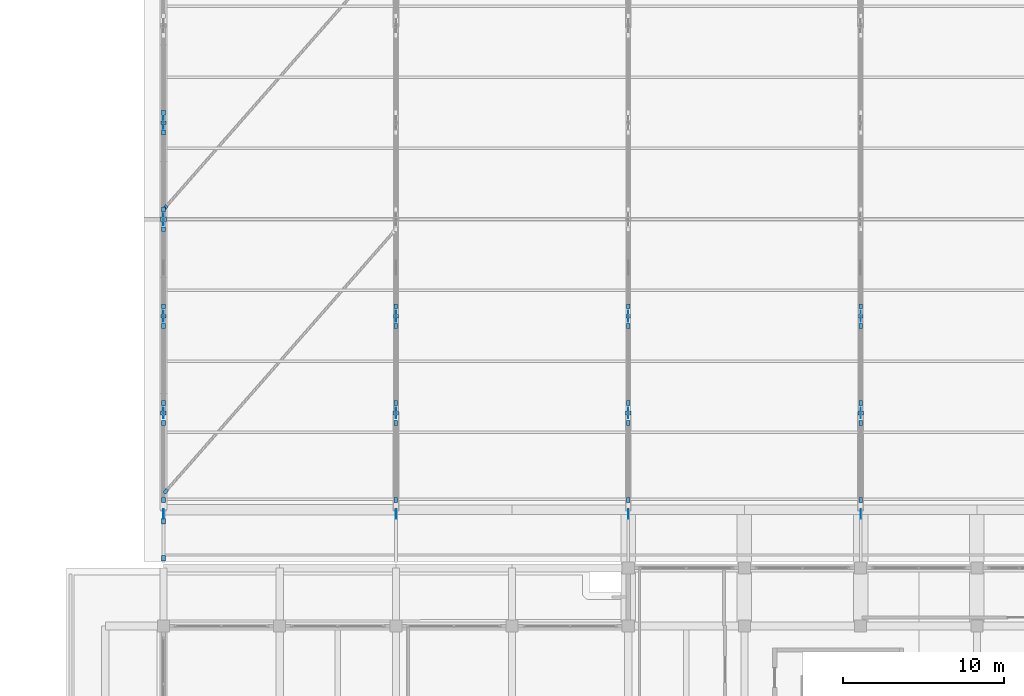
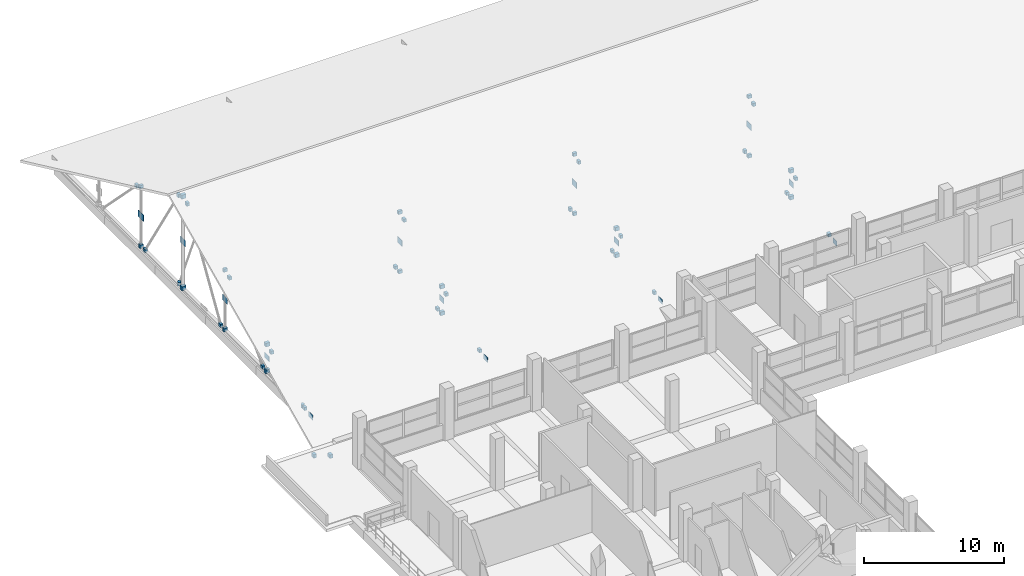
# One storey, part 122 of 141: 62 plates, 4 elements without a shape of their own.
"""IFC4 building model written with IfcOpenShell, lengths in metres."""

from ifc_helpers import new_model, si_unit, direction, frame, origin, origin_2d, place, context, subcontext, project, spatial, rectangle, extrude, material, layer, layer_set, type_object, element, aggregate, save


model = new_model("IFC4")

# Units and contexts
model_context = context("Model", 3, precision=1e-05, world=origin(), true_north=direction((0.0, 1.0)))
body_context = subcontext(model_context, "Body", "Model", "MODEL_VIEW")
ifc_project = project(units=[si_unit("LENGTHUNIT", "METRE"), si_unit("AREAUNIT", "SQUARE_METRE"), si_unit("VOLUMEUNIT", "CUBIC_METRE"), si_unit("PLANEANGLEUNIT", "RADIAN"), si_unit("MASSUNIT", "GRAM", prefix="KILO")], contexts=[model_context])

# Site, building, storey
site_placement = place(None, origin())
site = spatial("IfcSite", under=ifc_project, at=site_placement, CompositionType="ELEMENT")
building_placement = place(site_placement, origin())
building = spatial("IfcBuilding", under=site, at=building_placement, Name="Seraya Terrace Polytechnic", CompositionType="ELEMENT")
storey_placement = place(building_placement, frame((0.0, 0.0, 14.39990234375)))
storey = spatial("IfcBuildingStorey", under=building, at=storey_placement, Name="L03", CompositionType="ELEMENT", Elevation=14.39990234375)

# Assembly, plates
ifc_material = material(Name="Steel S355J2", Category="steel")
element_assembly_type = type_object("IfcElementAssemblyType", Name="TR-A1", PredefinedType="TRUSS", material=ifc_material)
assembly_1_placement = place(storey_placement, origin())
assembly_1 = element("IfcElementAssembly", 1, at=assembly_1_placement, inside=storey, type_object=element_assembly_type, Name="Pitched steel roof truss TR-01", AssemblyPlace="SITE", PredefinedType="TRUSS")
ifc_layer_1 = layer(ifc_material, 0.340087890625, Name="EP-01")
ifc_layer_set_1 = layer_set([ifc_layer_1], Name="Steel S355J2")
plate_type_1 = type_object("IfcPlateType", Name="EP-01", PredefinedType="USERDEFINED", material=ifc_layer_set_1)
plate_1_placement = place(storey_placement, frame((14.39990234375, 97.199951171875, 0.10302734375), z_axis=(0.0, 0.0, 1.0), x_axis=(1.0, 0.0, 0.0)))
plate_1 = element("IfcPlate", 2, at=plate_1_placement, type_object=plate_type_1, Name="Hollow end-cap plate TR-01-V4 start", ObjectType="FLANGE_PLATE", PredefinedType="USERDEFINED", context=body_context, shape_type="SweptSolid", body=[
    extrude(rectangle(XDim=0.360107421875, YDim=0.280029296875, at=origin_2d()), origin(), (0.0, 0.0, 1.0), 0.340087890625),
])
plate_2_placement = place(storey_placement, frame((14.39990234375, 97.199951171875, 8.08154296875), z_axis=(0.0, 0.0, 1.0), x_axis=(1.0, 0.0, 0.0)))
plate_2 = element("IfcPlate", 3, at=plate_2_placement, type_object=plate_type_1, Name="Hollow end-cap plate TR-01-V4 end", ObjectType="FLANGE_PLATE", PredefinedType="USERDEFINED", context=body_context, shape_type="SweptSolid", body=[
    extrude(rectangle(XDim=0.360107421875, YDim=0.280029296875, at=origin_2d()), origin(), (0.0, 0.0, 1.0), 0.340087890625),
])
ifc_layer_2 = layer(ifc_material, 0.320068359375, Name="EP-02")
ifc_layer_set_2 = layer_set([ifc_layer_2], Name="Steel S355J2")
plate_type_2 = type_object("IfcPlateType", Name="EP-02", PredefinedType="USERDEFINED", material=ifc_layer_set_2)
plate_3_placement = place(storey_placement, frame((14.39990234375, 85.199951171875, 0.138671875), z_axis=(0.0, 0.0, 1.0), x_axis=(1.0, 0.0, 0.0)))
plate_3 = element("IfcPlate", 4, at=plate_3_placement, type_object=plate_type_2, Name="Hollow end-cap plate TR-01-V2 start", ObjectType="FLANGE_PLATE", PredefinedType="USERDEFINED", context=body_context, shape_type="SweptSolid", body=[
    extrude(rectangle(XDim=0.340087890625, YDim=0.260009765625, at=origin_2d()), origin(), (0.0, 0.0, 1.0), 0.320068359375),
])
plate_4_placement = place(storey_placement, frame((14.39990234375, 85.199951171875, 2.4658203125), z_axis=(0.0, 0.0, 1.0), x_axis=(1.0, 0.0, 0.0)))
plate_4 = element("IfcPlate", 5, at=plate_4_placement, type_object=plate_type_2, Name="Hollow end-cap plate TR-01-V2 end", ObjectType="FLANGE_PLATE", PredefinedType="USERDEFINED", context=body_context, shape_type="SweptSolid", body=[
    extrude(rectangle(XDim=0.340087890625, YDim=0.260009765625, at=origin_2d()), origin(), (0.0, 0.0, 1.0), 0.320068359375),
])

assembly_2_placement = place(storey_placement, origin())
assembly_2 = element("IfcElementAssembly", 6, at=assembly_2_placement, inside=storey, type_object=element_assembly_type, Name="Pitched steel roof truss TR-02", AssemblyPlace="SITE", PredefinedType="TRUSS")
plate_5_placement = place(storey_placement, frame((28.800048828125, 85.199951171875, 0.138671875), z_axis=(0.0, 0.0, 1.0), x_axis=(1.0, 0.0, 0.0)))
plate_5 = element("IfcPlate", 7, at=plate_5_placement, type_object=plate_type_2, Name="Hollow end-cap plate TR-02-V2 start", ObjectType="FLANGE_PLATE", PredefinedType="USERDEFINED", context=body_context, shape_type="SweptSolid", body=[
    extrude(rectangle(XDim=0.340087890625, YDim=0.260009765625, at=origin_2d()), origin(), (0.0, 0.0, 1.0), 0.320068359375),
])
plate_6_placement = place(storey_placement, frame((28.800048828125, 85.199951171875, 2.4658203125), z_axis=(0.0, 0.0, 1.0), x_axis=(1.0, 0.0, 0.0)))
plate_6 = element("IfcPlate", 8, at=plate_6_placement, type_object=plate_type_2, Name="Hollow end-cap plate TR-02-V2 end", ObjectType="FLANGE_PLATE", PredefinedType="USERDEFINED", context=body_context, shape_type="SweptSolid", body=[
    extrude(rectangle(XDim=0.340087890625, YDim=0.260009765625, at=origin_2d()), origin(), (0.0, 0.0, 1.0), 0.320068359375),
])

assembly_3_placement = place(storey_placement, origin())
assembly_3 = element("IfcElementAssembly", 9, at=assembly_3_placement, inside=storey, type_object=element_assembly_type, Name="Pitched steel roof truss TR-03", AssemblyPlace="SITE", PredefinedType="TRUSS")
plate_7_placement = place(storey_placement, frame((43.199951171875, 85.199951171875, 0.138671875), z_axis=(0.0, 0.0, 1.0), x_axis=(1.0, 0.0, 0.0)))
plate_7 = element("IfcPlate", 10, at=plate_7_placement, type_object=plate_type_2, Name="Hollow end-cap plate TR-03-V2 start", ObjectType="FLANGE_PLATE", PredefinedType="USERDEFINED", context=body_context, shape_type="SweptSolid", body=[
    extrude(rectangle(XDim=0.340087890625, YDim=0.260009765625, at=origin_2d()), origin(), (0.0, 0.0, 1.0), 0.320068359375),
])
plate_8_placement = place(storey_placement, frame((43.199951171875, 85.199951171875, 2.4658203125), z_axis=(0.0, 0.0, 1.0), x_axis=(1.0, 0.0, 0.0)))
plate_8 = element("IfcPlate", 11, at=plate_8_placement, type_object=plate_type_2, Name="Hollow end-cap plate TR-03-V2 end", ObjectType="FLANGE_PLATE", PredefinedType="USERDEFINED", context=body_context, shape_type="SweptSolid", body=[
    extrude(rectangle(XDim=0.340087890625, YDim=0.260009765625, at=origin_2d()), origin(), (0.0, 0.0, 1.0), 0.320068359375),
])

assembly_4_placement = place(storey_placement, origin())
assembly_4 = element("IfcElementAssembly", 12, at=assembly_4_placement, inside=storey, type_object=element_assembly_type, Name="Pitched steel roof truss TR-04", AssemblyPlace="SITE", PredefinedType="TRUSS")
plate_9_placement = place(storey_placement, frame((57.60009765625, 85.199951171875, 0.138671875), z_axis=(0.0, 0.0, 1.0), x_axis=(1.0, 0.0, 0.0)))
plate_9 = element("IfcPlate", 13, at=plate_9_placement, type_object=plate_type_2, Name="Hollow end-cap plate TR-04-V2 start", ObjectType="FLANGE_PLATE", PredefinedType="USERDEFINED", context=body_context, shape_type="SweptSolid", body=[
    extrude(rectangle(XDim=0.340087890625, YDim=0.260009765625, at=origin_2d()), origin(), (0.0, 0.0, 1.0), 0.320068359375),
])
plate_10_placement = place(storey_placement, frame((57.60009765625, 85.199951171875, 2.4658203125), z_axis=(0.0, 0.0, 1.0), x_axis=(1.0, 0.0, 0.0)))
plate_10 = element("IfcPlate", 14, at=plate_10_placement, type_object=plate_type_2, Name="Hollow end-cap plate TR-04-V2 end", ObjectType="FLANGE_PLATE", PredefinedType="USERDEFINED", context=body_context, shape_type="SweptSolid", body=[
    extrude(rectangle(XDim=0.340087890625, YDim=0.260009765625, at=origin_2d()), origin(), (0.0, 0.0, 1.0), 0.320068359375),
])

# Plate
ifc_layer_3 = layer(ifc_material, 0.280029296875, Name="EP-03")
ifc_layer_set_3 = layer_set([ifc_layer_3], Name="Steel S355J2")
plate_type_3 = type_object("IfcPlateType", Name="EP-03", PredefinedType="USERDEFINED", material=ifc_layer_set_3)
plate_11_placement = place(storey_placement, frame((14.39990234375, 91.199951171875, 0.13330078125), z_axis=(0.0, 0.0, 1.0), x_axis=(1.0, 0.0, 0.0)))
plate_11 = element("IfcPlate", 15, at=plate_11_placement, type_object=plate_type_3, Name="Hollow end-cap plate TR-01-V3 start", ObjectType="FLANGE_PLATE", PredefinedType="USERDEFINED", context=body_context, shape_type="SweptSolid", body=[
    extrude(rectangle(XDim=0.300048828125, YDim=0.219970703125, at=origin_2d()), origin(), (0.0, 0.0, 1.0), 0.280029296875),
])

plate_12_placement = place(storey_placement, frame((14.39990234375, 91.199951171875, 5.3115234375), z_axis=(0.0, 0.0, 1.0), x_axis=(1.0, 0.0, 0.0)))
plate_12 = element("IfcPlate", 16, at=plate_12_placement, type_object=plate_type_3, Name="Hollow end-cap plate TR-01-V3 end", ObjectType="FLANGE_PLATE", PredefinedType="USERDEFINED", context=body_context, shape_type="SweptSolid", body=[
    extrude(rectangle(XDim=0.300048828125, YDim=0.219970703125, at=origin_2d()), origin(), (0.0, 0.0, 1.0), 0.280029296875),
])

plate_13_placement = place(storey_placement, frame((14.39990234375, 103.199951171875, 0.13330078125), z_axis=(0.0, 0.0, 1.0), x_axis=(1.0, 0.0, 0.0)))
plate_13 = element("IfcPlate", 17, at=plate_13_placement, type_object=plate_type_3, Name="Hollow end-cap plate TR-01-V5 start", ObjectType="FLANGE_PLATE", PredefinedType="USERDEFINED", context=body_context, shape_type="SweptSolid", body=[
    extrude(rectangle(XDim=0.300048828125, YDim=0.219970703125, at=origin_2d()), origin(), (0.0, 0.0, 1.0), 0.280029296875),
])

plate_14_placement = place(storey_placement, frame((14.39990234375, 103.199951171875, 5.3115234375), z_axis=(0.0, 0.0, 1.0), x_axis=(1.0, 0.0, 0.0)))
plate_14 = element("IfcPlate", 18, at=plate_14_placement, type_object=plate_type_3, Name="Hollow end-cap plate TR-01-V5 end", ObjectType="FLANGE_PLATE", PredefinedType="USERDEFINED", context=body_context, shape_type="SweptSolid", body=[
    extrude(rectangle(XDim=0.300048828125, YDim=0.219970703125, at=origin_2d()), origin(), (0.0, 0.0, 1.0), 0.280029296875),
])

plate_15_placement = place(storey_placement, frame((14.39990234375, 79.8125, 0.17333984375), z_axis=(0.0, 0.0, 1.0), x_axis=(0.0, 1.0, 0.0)))
plate_15 = element("IfcPlate", 19, at=plate_15_placement, type_object=plate_type_3, Name="Hollow end-cap plate TR-01-D1 start", ObjectType="FLANGE_PLATE", PredefinedType="USERDEFINED", context=body_context, shape_type="SweptSolid", body=[
    extrude(rectangle(XDim=0.300048828125, YDim=0.219970703125, at=origin_2d()), origin(), (0.0, 0.0, 1.0), 0.280029296875),
])

plate_16_placement = place(storey_placement, frame((14.39990234375, 84.58740234375, 2.181640625), z_axis=(0.0, 0.0, 1.0), x_axis=(0.0, 1.0, 0.0)))
plate_16 = element("IfcPlate", 20, at=plate_16_placement, type_object=plate_type_3, Name="Hollow end-cap plate TR-01-D1 end", ObjectType="FLANGE_PLATE", PredefinedType="USERDEFINED", context=body_context, shape_type="SweptSolid", body=[
    extrude(rectangle(XDim=0.300048828125, YDim=0.219970703125, at=origin_2d()), origin(), (0.0, 0.0, 1.0), 0.280029296875),
])

plate_17_placement = place(storey_placement, frame((14.39990234375, 85.814453125, 0.1455078125), z_axis=(0.0, 0.0, 1.0), x_axis=(0.0, 1.0, 0.0)))
plate_17 = element("IfcPlate", 21, at=plate_17_placement, type_object=plate_type_3, Name="Hollow end-cap plate TR-01-D2 start", ObjectType="FLANGE_PLATE", PredefinedType="USERDEFINED", context=body_context, shape_type="SweptSolid", body=[
    extrude(rectangle(XDim=0.300048828125, YDim=0.219970703125, at=origin_2d()), origin(), (0.0, 0.0, 1.0), 0.280029296875),
])

plate_18_placement = place(storey_placement, frame((14.39990234375, 90.585693359375, 5.009765625), z_axis=(0.0, 0.0, 1.0), x_axis=(0.0, 1.0, 0.0)))
plate_18 = element("IfcPlate", 22, at=plate_18_placement, type_object=plate_type_3, Name="Hollow end-cap plate TR-01-D2 end", ObjectType="FLANGE_PLATE", PredefinedType="USERDEFINED", context=body_context, shape_type="SweptSolid", body=[
    extrude(rectangle(XDim=0.300048828125, YDim=0.219970703125, at=origin_2d()), origin(), (0.0, 0.0, 1.0), 0.280029296875),
])

plate_19_placement = place(storey_placement, frame((14.39990234375, 91.81591796875, 0.14404296875), z_axis=(0.0, 0.0, 1.0), x_axis=(0.0, 1.0, 0.0)))
plate_19 = element("IfcPlate", 23, at=plate_19_placement, type_object=plate_type_3, Name="Hollow end-cap plate TR-01-D3 start", ObjectType="FLANGE_PLATE", PredefinedType="USERDEFINED", context=body_context, shape_type="SweptSolid", body=[
    extrude(rectangle(XDim=0.300048828125, YDim=0.219970703125, at=origin_2d()), origin(), (0.0, 0.0, 1.0), 0.280029296875),
])

plate_20_placement = place(storey_placement, frame((14.39990234375, 96.584228515625, 7.81103515625), z_axis=(0.0, 0.0, 1.0), x_axis=(0.0, 1.0, 0.0)))
plate_20 = element("IfcPlate", 24, at=plate_20_placement, type_object=plate_type_3, Name="Hollow end-cap plate TR-01-D3 end", ObjectType="FLANGE_PLATE", PredefinedType="USERDEFINED", context=body_context, shape_type="SweptSolid", body=[
    extrude(rectangle(XDim=0.300048828125, YDim=0.219970703125, at=origin_2d()), origin(), (0.0, 0.0, 1.0), 0.280029296875),
])

plate_21_placement = place(storey_placement, frame((14.39990234375, 97.81591796875, 7.81103515625), z_axis=(0.0, 0.0, 1.0), x_axis=(0.0, 1.0, 0.0)))
plate_21 = element("IfcPlate", 25, at=plate_21_placement, type_object=plate_type_3, Name="Hollow end-cap plate TR-01-D4 start", ObjectType="FLANGE_PLATE", PredefinedType="USERDEFINED", context=body_context, shape_type="SweptSolid", body=[
    extrude(rectangle(XDim=0.300048828125, YDim=0.219970703125, at=origin_2d()), origin(), (0.0, 0.0, 1.0), 0.280029296875),
])

plate_22_placement = place(storey_placement, frame((14.39990234375, 102.584228515625, 0.14404296875), z_axis=(0.0, 0.0, 1.0), x_axis=(0.0, 1.0, 0.0)))
plate_22 = element("IfcPlate", 26, at=plate_22_placement, type_object=plate_type_3, Name="Hollow end-cap plate TR-01-D4 end", ObjectType="FLANGE_PLATE", PredefinedType="USERDEFINED", context=body_context, shape_type="SweptSolid", body=[
    extrude(rectangle(XDim=0.300048828125, YDim=0.219970703125, at=origin_2d()), origin(), (0.0, 0.0, 1.0), 0.280029296875),
])

plate_23_placement = place(storey_placement, frame((14.39990234375, 103.814453125, 5.009765625), z_axis=(0.0, 0.0, 1.0), x_axis=(0.0, 1.0, 0.0)))
plate_23 = element("IfcPlate", 27, at=plate_23_placement, type_object=plate_type_3, Name="Hollow end-cap plate TR-01-D5 start", ObjectType="FLANGE_PLATE", PredefinedType="USERDEFINED", context=body_context, shape_type="SweptSolid", body=[
    extrude(rectangle(XDim=0.300048828125, YDim=0.219970703125, at=origin_2d()), origin(), (0.0, 0.0, 1.0), 0.280029296875),
])

plate_24_placement = place(storey_placement, frame((28.800048828125, 91.199951171875, 0.13330078125), z_axis=(0.0, 0.0, 1.0), x_axis=(1.0, 0.0, 0.0)))
plate_24 = element("IfcPlate", 28, at=plate_24_placement, type_object=plate_type_3, Name="Hollow end-cap plate TR-02-V3 start", ObjectType="FLANGE_PLATE", PredefinedType="USERDEFINED", context=body_context, shape_type="SweptSolid", body=[
    extrude(rectangle(XDim=0.300048828125, YDim=0.219970703125, at=origin_2d()), origin(), (0.0, 0.0, 1.0), 0.280029296875),
])

plate_25_placement = place(storey_placement, frame((28.800048828125, 91.199951171875, 5.3115234375), z_axis=(0.0, 0.0, 1.0), x_axis=(1.0, 0.0, 0.0)))
plate_25 = element("IfcPlate", 29, at=plate_25_placement, type_object=plate_type_3, Name="Hollow end-cap plate TR-02-V3 end", ObjectType="FLANGE_PLATE", PredefinedType="USERDEFINED", context=body_context, shape_type="SweptSolid", body=[
    extrude(rectangle(XDim=0.300048828125, YDim=0.219970703125, at=origin_2d()), origin(), (0.0, 0.0, 1.0), 0.280029296875),
])

plate_26_placement = place(storey_placement, frame((28.800048828125, 79.8125, 0.17333984375), z_axis=(0.0, 0.0, 1.0), x_axis=(0.0, 1.0, 0.0)))
plate_26 = element("IfcPlate", 30, at=plate_26_placement, type_object=plate_type_3, Name="Hollow end-cap plate TR-02-D1 start", ObjectType="FLANGE_PLATE", PredefinedType="USERDEFINED", context=body_context, shape_type="SweptSolid", body=[
    extrude(rectangle(XDim=0.300048828125, YDim=0.219970703125, at=origin_2d()), origin(), (0.0, 0.0, 1.0), 0.280029296875),
])

plate_27_placement = place(storey_placement, frame((28.800048828125, 84.58740234375, 2.181640625), z_axis=(0.0, 0.0, 1.0), x_axis=(0.0, 1.0, 0.0)))
plate_27 = element("IfcPlate", 31, at=plate_27_placement, type_object=plate_type_3, Name="Hollow end-cap plate TR-02-D1 end", ObjectType="FLANGE_PLATE", PredefinedType="USERDEFINED", context=body_context, shape_type="SweptSolid", body=[
    extrude(rectangle(XDim=0.300048828125, YDim=0.219970703125, at=origin_2d()), origin(), (0.0, 0.0, 1.0), 0.280029296875),
])

plate_28_placement = place(storey_placement, frame((28.800048828125, 85.814453125, 0.1455078125), z_axis=(0.0, 0.0, 1.0), x_axis=(0.0, 1.0, 0.0)))
plate_28 = element("IfcPlate", 32, at=plate_28_placement, type_object=plate_type_3, Name="Hollow end-cap plate TR-02-D2 start", ObjectType="FLANGE_PLATE", PredefinedType="USERDEFINED", context=body_context, shape_type="SweptSolid", body=[
    extrude(rectangle(XDim=0.300048828125, YDim=0.219970703125, at=origin_2d()), origin(), (0.0, 0.0, 1.0), 0.280029296875),
])

plate_29_placement = place(storey_placement, frame((28.800048828125, 90.585693359375, 5.009765625), z_axis=(0.0, 0.0, 1.0), x_axis=(0.0, 1.0, 0.0)))
plate_29 = element("IfcPlate", 33, at=plate_29_placement, type_object=plate_type_3, Name="Hollow end-cap plate TR-02-D2 end", ObjectType="FLANGE_PLATE", PredefinedType="USERDEFINED", context=body_context, shape_type="SweptSolid", body=[
    extrude(rectangle(XDim=0.300048828125, YDim=0.219970703125, at=origin_2d()), origin(), (0.0, 0.0, 1.0), 0.280029296875),
])

plate_30_placement = place(storey_placement, frame((28.800048828125, 91.81591796875, 0.14404296875), z_axis=(0.0, 0.0, 1.0), x_axis=(0.0, 1.0, 0.0)))
plate_30 = element("IfcPlate", 34, at=plate_30_placement, type_object=plate_type_3, Name="Hollow end-cap plate TR-02-D3 start", ObjectType="FLANGE_PLATE", PredefinedType="USERDEFINED", context=body_context, shape_type="SweptSolid", body=[
    extrude(rectangle(XDim=0.300048828125, YDim=0.219970703125, at=origin_2d()), origin(), (0.0, 0.0, 1.0), 0.280029296875),
])

plate_31_placement = place(storey_placement, frame((43.199951171875, 91.199951171875, 0.13330078125), z_axis=(0.0, 0.0, 1.0), x_axis=(1.0, 0.0, 0.0)))
plate_31 = element("IfcPlate", 35, at=plate_31_placement, type_object=plate_type_3, Name="Hollow end-cap plate TR-03-V3 start", ObjectType="FLANGE_PLATE", PredefinedType="USERDEFINED", context=body_context, shape_type="SweptSolid", body=[
    extrude(rectangle(XDim=0.300048828125, YDim=0.219970703125, at=origin_2d()), origin(), (0.0, 0.0, 1.0), 0.280029296875),
])

plate_32_placement = place(storey_placement, frame((43.199951171875, 91.199951171875, 5.3115234375), z_axis=(0.0, 0.0, 1.0), x_axis=(1.0, 0.0, 0.0)))
plate_32 = element("IfcPlate", 36, at=plate_32_placement, type_object=plate_type_3, Name="Hollow end-cap plate TR-03-V3 end", ObjectType="FLANGE_PLATE", PredefinedType="USERDEFINED", context=body_context, shape_type="SweptSolid", body=[
    extrude(rectangle(XDim=0.300048828125, YDim=0.219970703125, at=origin_2d()), origin(), (0.0, 0.0, 1.0), 0.280029296875),
])

plate_33_placement = place(storey_placement, frame((43.199951171875, 79.8125, 0.17333984375), z_axis=(0.0, 0.0, 1.0), x_axis=(0.0, 1.0, 0.0)))
plate_33 = element("IfcPlate", 37, at=plate_33_placement, type_object=plate_type_3, Name="Hollow end-cap plate TR-03-D1 start", ObjectType="FLANGE_PLATE", PredefinedType="USERDEFINED", context=body_context, shape_type="SweptSolid", body=[
    extrude(rectangle(XDim=0.300048828125, YDim=0.219970703125, at=origin_2d()), origin(), (0.0, 0.0, 1.0), 0.280029296875),
])

plate_34_placement = place(storey_placement, frame((43.199951171875, 84.58740234375, 2.181640625), z_axis=(0.0, 0.0, 1.0), x_axis=(0.0, 1.0, 0.0)))
plate_34 = element("IfcPlate", 38, at=plate_34_placement, type_object=plate_type_3, Name="Hollow end-cap plate TR-03-D1 end", ObjectType="FLANGE_PLATE", PredefinedType="USERDEFINED", context=body_context, shape_type="SweptSolid", body=[
    extrude(rectangle(XDim=0.300048828125, YDim=0.219970703125, at=origin_2d()), origin(), (0.0, 0.0, 1.0), 0.280029296875),
])

plate_35_placement = place(storey_placement, frame((43.199951171875, 85.814453125, 0.1455078125), z_axis=(0.0, 0.0, 1.0), x_axis=(0.0, 1.0, 0.0)))
plate_35 = element("IfcPlate", 39, at=plate_35_placement, type_object=plate_type_3, Name="Hollow end-cap plate TR-03-D2 start", ObjectType="FLANGE_PLATE", PredefinedType="USERDEFINED", context=body_context, shape_type="SweptSolid", body=[
    extrude(rectangle(XDim=0.300048828125, YDim=0.219970703125, at=origin_2d()), origin(), (0.0, 0.0, 1.0), 0.280029296875),
])

plate_36_placement = place(storey_placement, frame((43.199951171875, 90.585693359375, 5.009765625), z_axis=(0.0, 0.0, 1.0), x_axis=(0.0, 1.0, 0.0)))
plate_36 = element("IfcPlate", 40, at=plate_36_placement, type_object=plate_type_3, Name="Hollow end-cap plate TR-03-D2 end", ObjectType="FLANGE_PLATE", PredefinedType="USERDEFINED", context=body_context, shape_type="SweptSolid", body=[
    extrude(rectangle(XDim=0.300048828125, YDim=0.219970703125, at=origin_2d()), origin(), (0.0, 0.0, 1.0), 0.280029296875),
])

plate_37_placement = place(storey_placement, frame((43.199951171875, 91.81591796875, 0.14404296875), z_axis=(0.0, 0.0, 1.0), x_axis=(0.0, 1.0, 0.0)))
plate_37 = element("IfcPlate", 41, at=plate_37_placement, type_object=plate_type_3, Name="Hollow end-cap plate TR-03-D3 start", ObjectType="FLANGE_PLATE", PredefinedType="USERDEFINED", context=body_context, shape_type="SweptSolid", body=[
    extrude(rectangle(XDim=0.300048828125, YDim=0.219970703125, at=origin_2d()), origin(), (0.0, 0.0, 1.0), 0.280029296875),
])

plate_38_placement = place(storey_placement, frame((57.60009765625, 91.199951171875, 0.13330078125), z_axis=(0.0, 0.0, 1.0), x_axis=(1.0, 0.0, 0.0)))
plate_38 = element("IfcPlate", 42, at=plate_38_placement, type_object=plate_type_3, Name="Hollow end-cap plate TR-04-V3 start", ObjectType="FLANGE_PLATE", PredefinedType="USERDEFINED", context=body_context, shape_type="SweptSolid", body=[
    extrude(rectangle(XDim=0.300048828125, YDim=0.219970703125, at=origin_2d()), origin(), (0.0, 0.0, 1.0), 0.280029296875),
])

plate_39_placement = place(storey_placement, frame((57.60009765625, 91.199951171875, 5.3115234375), z_axis=(0.0, 0.0, 1.0), x_axis=(1.0, 0.0, 0.0)))
plate_39 = element("IfcPlate", 43, at=plate_39_placement, type_object=plate_type_3, Name="Hollow end-cap plate TR-04-V3 end", ObjectType="FLANGE_PLATE", PredefinedType="USERDEFINED", context=body_context, shape_type="SweptSolid", body=[
    extrude(rectangle(XDim=0.300048828125, YDim=0.219970703125, at=origin_2d()), origin(), (0.0, 0.0, 1.0), 0.280029296875),
])

plate_40_placement = place(storey_placement, frame((57.60009765625, 79.8125, 0.17333984375), z_axis=(0.0, 0.0, 1.0), x_axis=(0.0, 1.0, 0.0)))
plate_40 = element("IfcPlate", 44, at=plate_40_placement, type_object=plate_type_3, Name="Hollow end-cap plate TR-04-D1 start", ObjectType="FLANGE_PLATE", PredefinedType="USERDEFINED", context=body_context, shape_type="SweptSolid", body=[
    extrude(rectangle(XDim=0.300048828125, YDim=0.219970703125, at=origin_2d()), origin(), (0.0, 0.0, 1.0), 0.280029296875),
])

plate_41_placement = place(storey_placement, frame((57.60009765625, 84.58740234375, 2.181640625), z_axis=(0.0, 0.0, 1.0), x_axis=(0.0, 1.0, 0.0)))
plate_41 = element("IfcPlate", 45, at=plate_41_placement, type_object=plate_type_3, Name="Hollow end-cap plate TR-04-D1 end", ObjectType="FLANGE_PLATE", PredefinedType="USERDEFINED", context=body_context, shape_type="SweptSolid", body=[
    extrude(rectangle(XDim=0.300048828125, YDim=0.219970703125, at=origin_2d()), origin(), (0.0, 0.0, 1.0), 0.280029296875),
])

plate_42_placement = place(storey_placement, frame((57.60009765625, 85.814453125, 0.1455078125), z_axis=(0.0, 0.0, 1.0), x_axis=(0.0, 1.0, 0.0)))
plate_42 = element("IfcPlate", 46, at=plate_42_placement, type_object=plate_type_3, Name="Hollow end-cap plate TR-04-D2 start", ObjectType="FLANGE_PLATE", PredefinedType="USERDEFINED", context=body_context, shape_type="SweptSolid", body=[
    extrude(rectangle(XDim=0.300048828125, YDim=0.219970703125, at=origin_2d()), origin(), (0.0, 0.0, 1.0), 0.280029296875),
])

plate_43_placement = place(storey_placement, frame((57.60009765625, 90.585693359375, 5.009765625), z_axis=(0.0, 0.0, 1.0), x_axis=(0.0, 1.0, 0.0)))
plate_43 = element("IfcPlate", 47, at=plate_43_placement, type_object=plate_type_3, Name="Hollow end-cap plate TR-04-D2 end", ObjectType="FLANGE_PLATE", PredefinedType="USERDEFINED", context=body_context, shape_type="SweptSolid", body=[
    extrude(rectangle(XDim=0.300048828125, YDim=0.219970703125, at=origin_2d()), origin(), (0.0, 0.0, 1.0), 0.280029296875),
])

plate_44_placement = place(storey_placement, frame((57.60009765625, 91.81591796875, 0.14404296875), z_axis=(0.0, 0.0, 1.0), x_axis=(0.0, 1.0, 0.0)))
plate_44 = element("IfcPlate", 48, at=plate_44_placement, type_object=plate_type_3, Name="Hollow end-cap plate TR-04-D3 start", ObjectType="FLANGE_PLATE", PredefinedType="USERDEFINED", context=body_context, shape_type="SweptSolid", body=[
    extrude(rectangle(XDim=0.300048828125, YDim=0.219970703125, at=origin_2d()), origin(), (0.0, 0.0, 1.0), 0.280029296875),
])

# Plates
for number, where, z_axis, x_axis, name in (
    (49, (14.53662109375, 80.343994140625, 0.01025390625), (0.0, 0.0, 1.0), (0.659870537582, 0.751379314082, 0.0), "Hollow end-cap plate RBR-B1-S1 start"),
    (50, (14.5126953125, 97.944091796875, 0.01025390625), (0.0, 0.0, 1.0), (0.659870537582, 0.751379314082, 0.0), "Hollow end-cap plate RBR-B1-N1 start"),
):
    element("IfcPlate", number, at=place(storey_placement, frame(where, z_axis=z_axis, x_axis=x_axis)), inside=storey, type_object=plate_type_3, Name=name, ObjectType="FLANGE_PLATE", PredefinedType="USERDEFINED", context=body_context, shape_type="SweptSolid", body=[
        extrude(rectangle(XDim=0.300048828125, YDim=0.219970703125, at=origin_2d()), origin(), (0.0, 0.0, 1.0), 0.280029296875),
    ])
ifc_layer_4 = layer(ifc_material, 0.300048828125, Name="EP-04")
ifc_layer_set_4 = layer_set([ifc_layer_4], Name="Steel S355J2")
plate_type_4 = type_object("IfcPlateType", Name="EP-04", PredefinedType="USERDEFINED", material=ifc_layer_set_4)
for number, where, z_axis, x_axis, name in (
    (51, (14.39990234375, 78.491943359375, -3.15380859375), (0.0, 0.0, 1.0), (0.0, 1.0, 0.0), "Hollow end-cap plate EAVE-KBR-01-S start"),
    (52, (14.39990234375, 76.193115234375, -1.7783203125), (0.0, 0.0, 1.0), (0.0, 1.0, 0.0), "Hollow end-cap plate EAVE-KBR-01-S end"),
):
    element("IfcPlate", number, at=place(storey_placement, frame(where, z_axis=z_axis, x_axis=x_axis)), inside=storey, type_object=plate_type_4, Name=name, ObjectType="FLANGE_PLATE", PredefinedType="USERDEFINED", context=body_context, shape_type="SweptSolid", body=[
        extrude(rectangle(XDim=0.340087890625, YDim=0.239990234375, at=origin_2d()), origin(), (0.0, 0.0, 1.0), 0.300048828125),
    ])

# Plate
ifc_layer_5 = layer(ifc_material, 0.01806640625, Name="TN-01")
ifc_layer_set_5 = layer_set([ifc_layer_5], Name="Steel S355J2")
plate_type_5 = type_object("IfcPlateType", Name="TN-01", PredefinedType="USERDEFINED", material=ifc_layer_set_5)
plate_45_placement = place(storey_placement, frame((14.39990234375, 78.949951171875, -0.07470703125), z_axis=(0.0, 0.0, 1.0), x_axis=(0.0, 1.0, 0.0)))
plate_45 = element("IfcPlate", 53, at=plate_45_placement, type_object=plate_type_5, Name="TR-01 bolted node gusset plate TN-01", ObjectType="GUSSET_PLATE", PredefinedType="USERDEFINED", context=body_context, shape_type="SweptSolid", body=[
    extrude(rectangle(XDim=0.60009765625, YDim=0.01806640625, at=origin_2d()), origin(), (0.0, 0.0, 1.0), 0.449951171875),
])

plate_46_placement = place(storey_placement, frame((28.800048828125, 78.949951171875, -0.07470703125), z_axis=(0.0, 0.0, 1.0), x_axis=(0.0, 1.0, 0.0)))
plate_46 = element("IfcPlate", 54, at=plate_46_placement, type_object=plate_type_5, Name="TR-02 bolted node gusset plate TN-01", ObjectType="GUSSET_PLATE", PredefinedType="USERDEFINED", context=body_context, shape_type="SweptSolid", body=[
    extrude(rectangle(XDim=0.60009765625, YDim=0.01806640625, at=origin_2d()), origin(), (0.0, 0.0, 1.0), 0.449951171875),
])

plate_47_placement = place(storey_placement, frame((43.199951171875, 78.949951171875, -0.07470703125), z_axis=(0.0, 0.0, 1.0), x_axis=(0.0, 1.0, 0.0)))
plate_47 = element("IfcPlate", 55, at=plate_47_placement, type_object=plate_type_5, Name="TR-03 bolted node gusset plate TN-01", ObjectType="GUSSET_PLATE", PredefinedType="USERDEFINED", context=body_context, shape_type="SweptSolid", body=[
    extrude(rectangle(XDim=0.60009765625, YDim=0.01806640625, at=origin_2d()), origin(), (0.0, 0.0, 1.0), 0.449951171875),
])

plate_48_placement = place(storey_placement, frame((57.60009765625, 78.949951171875, -0.07470703125), z_axis=(0.0, 0.0, 1.0), x_axis=(0.0, 1.0, 0.0)))
plate_48 = element("IfcPlate", 56, at=plate_48_placement, type_object=plate_type_5, Name="TR-04 bolted node gusset plate TN-01", ObjectType="GUSSET_PLATE", PredefinedType="USERDEFINED", context=body_context, shape_type="SweptSolid", body=[
    extrude(rectangle(XDim=0.60009765625, YDim=0.01806640625, at=origin_2d()), origin(), (0.0, 0.0, 1.0), 0.449951171875),
])

ifc_layer_6 = layer(ifc_material, 0.02001953125, Name="TN-02")
ifc_layer_set_6 = layer_set([ifc_layer_6], Name="Steel S355J2")
plate_type_6 = type_object("IfcPlateType", Name="TN-02", PredefinedType="USERDEFINED", material=ifc_layer_set_6)
plate_49_placement = place(storey_placement, frame((14.39990234375, 85.199951171875, 1.235107421875), z_axis=(0.0, 0.0, 1.0), x_axis=(0.0, 1.0, 0.0)))
plate_49 = element("IfcPlate", 57, at=plate_49_placement, type_object=plate_type_6, Name="TR-01 bolted node gusset plate TN-02", ObjectType="GUSSET_PLATE", PredefinedType="USERDEFINED", context=body_context, shape_type="SweptSolid", body=[
    extrude(rectangle(XDim=0.639892578125, YDim=0.02001953125, at=origin_2d()), origin(), (0.0, 0.0, 1.0), 0.47998046875),
])

plate_50_placement = place(storey_placement, frame((28.800048828125, 85.199951171875, 1.235107421875), z_axis=(0.0, 0.0, 1.0), x_axis=(0.0, 1.0, 0.0)))
plate_50 = element("IfcPlate", 58, at=plate_50_placement, type_object=plate_type_6, Name="TR-02 bolted node gusset plate TN-02", ObjectType="GUSSET_PLATE", PredefinedType="USERDEFINED", context=body_context, shape_type="SweptSolid", body=[
    extrude(rectangle(XDim=0.639892578125, YDim=0.02001953125, at=origin_2d()), origin(), (0.0, 0.0, 1.0), 0.47998046875),
])

plate_51_placement = place(storey_placement, frame((43.199951171875, 85.199951171875, 1.235107421875), z_axis=(0.0, 0.0, 1.0), x_axis=(0.0, 1.0, 0.0)))
plate_51 = element("IfcPlate", 59, at=plate_51_placement, type_object=plate_type_6, Name="TR-03 bolted node gusset plate TN-02", ObjectType="GUSSET_PLATE", PredefinedType="USERDEFINED", context=body_context, shape_type="SweptSolid", body=[
    extrude(rectangle(XDim=0.639892578125, YDim=0.02001953125, at=origin_2d()), origin(), (0.0, 0.0, 1.0), 0.47998046875),
])

plate_52_placement = place(storey_placement, frame((57.60009765625, 85.199951171875, 1.235107421875), z_axis=(0.0, 0.0, 1.0), x_axis=(0.0, 1.0, 0.0)))
plate_52 = element("IfcPlate", 60, at=plate_52_placement, type_object=plate_type_6, Name="TR-04 bolted node gusset plate TN-02", ObjectType="GUSSET_PLATE", PredefinedType="USERDEFINED", context=body_context, shape_type="SweptSolid", body=[
    extrude(rectangle(XDim=0.639892578125, YDim=0.02001953125, at=origin_2d()), origin(), (0.0, 0.0, 1.0), 0.47998046875),
])

ifc_layer_7 = layer(ifc_material, 0.02197265625, Name="TN-03")
ifc_layer_set_7 = layer_set([ifc_layer_7], Name="Steel S355J2")
plate_type_7 = type_object("IfcPlateType", Name="TN-03", PredefinedType="USERDEFINED", material=ifc_layer_set_7)
plate_53_placement = place(storey_placement, frame((14.39990234375, 91.199951171875, 2.6201171875), z_axis=(0.0, 0.0, 1.0), x_axis=(0.0, 1.0, 0.0)))
plate_53 = element("IfcPlate", 61, at=plate_53_placement, type_object=plate_type_7, Name="TR-01 bolted node gusset plate TN-03", ObjectType="GUSSET_PLATE", PredefinedType="USERDEFINED", context=body_context, shape_type="SweptSolid", body=[
    extrude(rectangle(XDim=0.679931640625, YDim=0.02197265625, at=origin_2d()), origin(), (0.0, 0.0, 1.0), 0.510009765625),
])

plate_54_placement = place(storey_placement, frame((28.800048828125, 91.199951171875, 2.6201171875), z_axis=(0.0, 0.0, 1.0), x_axis=(0.0, 1.0, 0.0)))
plate_54 = element("IfcPlate", 62, at=plate_54_placement, type_object=plate_type_7, Name="TR-02 bolted node gusset plate TN-03", ObjectType="GUSSET_PLATE", PredefinedType="USERDEFINED", context=body_context, shape_type="SweptSolid", body=[
    extrude(rectangle(XDim=0.679931640625, YDim=0.02197265625, at=origin_2d()), origin(), (0.0, 0.0, 1.0), 0.510009765625),
])

aggregate(assembly_2, [plate_46, plate_5, plate_6, plate_50, plate_24, plate_25, plate_54, plate_26, plate_27, plate_28, plate_29, plate_30])

plate_55_placement = place(storey_placement, frame((43.199951171875, 91.199951171875, 2.6201171875), z_axis=(0.0, 0.0, 1.0), x_axis=(0.0, 1.0, 0.0)))
plate_55 = element("IfcPlate", 63, at=plate_55_placement, type_object=plate_type_7, Name="TR-03 bolted node gusset plate TN-03", ObjectType="GUSSET_PLATE", PredefinedType="USERDEFINED", context=body_context, shape_type="SweptSolid", body=[
    extrude(rectangle(XDim=0.679931640625, YDim=0.02197265625, at=origin_2d()), origin(), (0.0, 0.0, 1.0), 0.510009765625),
])

aggregate(assembly_3, [plate_47, plate_7, plate_8, plate_51, plate_31, plate_32, plate_55, plate_33, plate_34, plate_35, plate_36, plate_37])

plate_56_placement = place(storey_placement, frame((57.60009765625, 91.199951171875, 2.6201171875), z_axis=(0.0, 0.0, 1.0), x_axis=(0.0, 1.0, 0.0)))
plate_56 = element("IfcPlate", 64, at=plate_56_placement, type_object=plate_type_7, Name="TR-04 bolted node gusset plate TN-03", ObjectType="GUSSET_PLATE", PredefinedType="USERDEFINED", context=body_context, shape_type="SweptSolid", body=[
    extrude(rectangle(XDim=0.679931640625, YDim=0.02197265625, at=origin_2d()), origin(), (0.0, 0.0, 1.0), 0.510009765625),
])

aggregate(assembly_4, [plate_48, plate_9, plate_10, plate_52, plate_38, plate_39, plate_56, plate_40, plate_41, plate_42, plate_43, plate_44])

ifc_layer_8 = layer(ifc_material, 0.02392578125, Name="TN-04")
ifc_layer_set_8 = layer_set([ifc_layer_8], Name="Steel S355J2")
plate_type_8 = type_object("IfcPlateType", Name="TN-04", PredefinedType="USERDEFINED", material=ifc_layer_set_8)
plate_57_placement = place(storey_placement, frame((14.39990234375, 97.199951171875, 4.005126953125), z_axis=(0.0, 0.0, 1.0), x_axis=(0.0, 1.0, 0.0)))
plate_57 = element("IfcPlate", 65, at=plate_57_placement, type_object=plate_type_8, Name="TR-01 bolted node gusset plate TN-04", ObjectType="GUSSET_PLATE", PredefinedType="USERDEFINED", context=body_context, shape_type="SweptSolid", body=[
    extrude(rectangle(XDim=0.719970703125, YDim=0.02392578125, at=origin_2d()), origin(), (0.0, 0.0, 1.0), 0.5400390625),
])

ifc_layer_9 = layer(ifc_material, 0.02587890625, Name="TN-05")
ifc_layer_set_9 = layer_set([ifc_layer_9], Name="Steel S355J2")
plate_type_9 = type_object("IfcPlateType", Name="TN-05", PredefinedType="USERDEFINED", material=ifc_layer_set_9)
plate_58_placement = place(storey_placement, frame((14.39990234375, 103.199951171875, 2.58984375), z_axis=(0.0, 0.0, 1.0), x_axis=(0.0, 1.0, 0.0)))
plate_58 = element("IfcPlate", 66, at=plate_58_placement, type_object=plate_type_9, Name="TR-01 bolted node gusset plate TN-05", ObjectType="GUSSET_PLATE", PredefinedType="USERDEFINED", context=body_context, shape_type="SweptSolid", body=[
    extrude(rectangle(XDim=0.760009765625, YDim=0.02587890625, at=origin_2d()), origin(), (0.0, 0.0, 1.0), 0.570068359375),
])

aggregate(assembly_1, [plate_45, plate_3, plate_4, plate_49, plate_11, plate_12, plate_53, plate_1, plate_2, plate_57, plate_13, plate_14, plate_58, plate_15, plate_16, plate_17, plate_18, plate_19, plate_20, plate_21, plate_22, plate_23])

save(model, "model.ifc")
